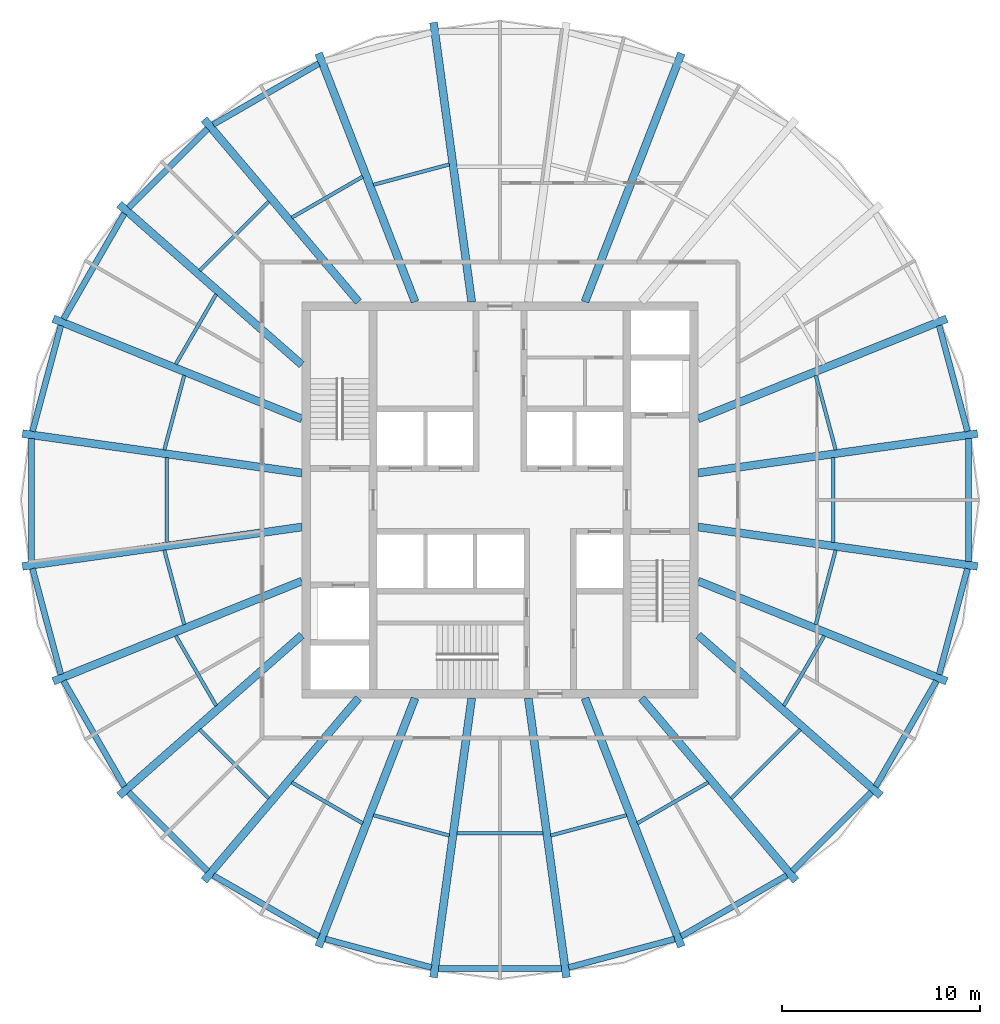
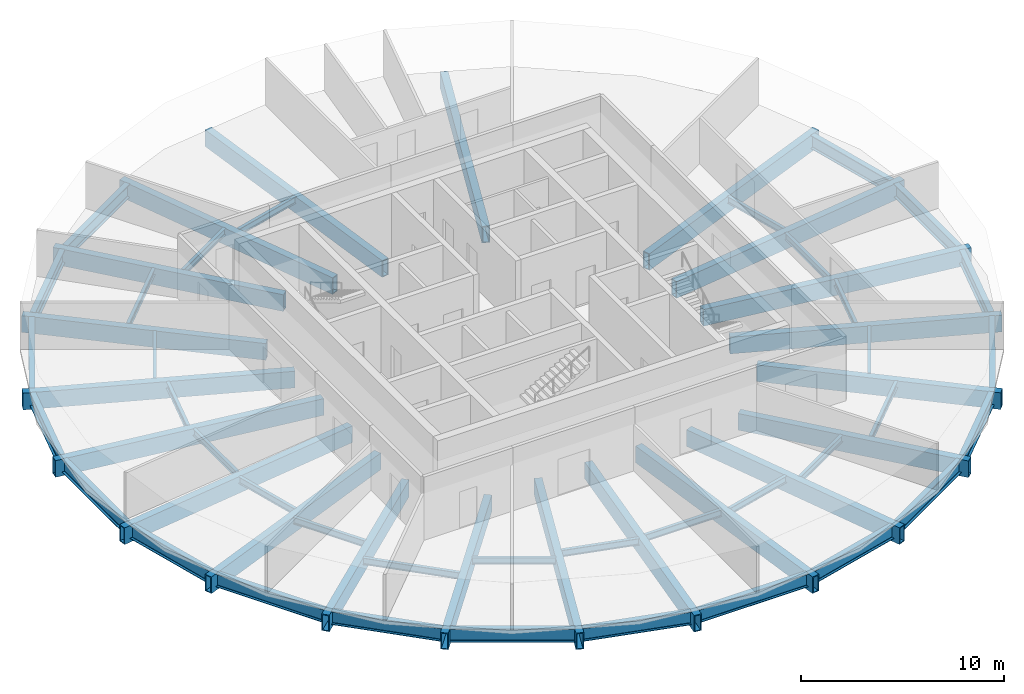
# One storey, part 1 of 6: 58 beams.
"""IFC4 building model written with IfcOpenShell, lengths in metres."""

from ifc_helpers import new_model, si_unit, direction, frame, origin, origin_2d, place, context, subcontext, project, spatial, hollow_rectangle, i_section, extrude, material, material_profile, profile_set, type_object, element, save


model = new_model("IFC4")

# Units and contexts
model_context = context("Model", 3, precision=1e-05, world=origin(), true_north=direction((0.0, 1.0)))
body_context = subcontext(model_context, "Body", "Model", "MODEL_VIEW")
ifc_project = project(units=[si_unit("LENGTHUNIT", "METRE"), si_unit("AREAUNIT", "SQUARE_METRE"), si_unit("VOLUMEUNIT", "CUBIC_METRE"), si_unit("PLANEANGLEUNIT", "RADIAN"), si_unit("MASSUNIT", "GRAM", prefix="KILO")], contexts=[model_context])

# Site, building, storey
site_placement = place(None, origin())
site = spatial("IfcSite", under=ifc_project, at=site_placement, CompositionType="ELEMENT")
building_placement = place(site_placement, origin())
building = spatial("IfcBuilding", under=site, at=building_placement, Name="Golbaran Civic Tower", CompositionType="ELEMENT")
storey_placement = place(building_placement, frame((0.0, 0.0, 159.0)))
storey = spatial("IfcBuildingStorey", under=building, at=storey_placement, Name="L38", CompositionType="ELEMENT", Elevation=159.0)

# Beams
ifc_material = material(Name="Steel S355", Category="steel")
ifc_material_profile_1 = material_profile(ifc_material, i_section(OverallWidth=0.300048828125, OverallDepth=0.800048828125, WebThickness=0.017578125, FlangeThickness=0.032958984375, FilletRadius=0.030029296875, at=origin_2d()), Name="HEB 800")
ifc_profile_set_1 = profile_set([ifc_material_profile_1], Name="Steel S355")
beam_type_1 = type_object("IfcBeamType", Name="EDGE BEAM HEB 800", PredefinedType="BEAM", material=ifc_profile_set_1)
beam_1_placement = place(storey_placement, frame((23.58984375, 3.460693359375, -0.60009765625), z_axis=(-0.258811905796, 0.965927739232, 0.0), x_axis=(-0.965927739232, -0.258811905796, 0.0)))
element("IfcBeam", 1, at=beam_1_placement, inside=storey, type_object=beam_type_1, Name="Edge beam 7.92 L38", PredefinedType="BEAM", context=body_context, shape_type="SweptSolid", body=[
    extrude(i_section(OverallWidth=0.300048828125, OverallDepth=0.800048828125, WebThickness=0.017578125, FlangeThickness=0.032958984375, FilletRadius=0.030029296875, at=origin_2d()), origin(), (0.0, 0.0, 1.0), 5.52587890625),
])
beam_2_placement = place(storey_placement, frame((-9.143798828125, 22.0166015625, -0.60009765625), z_axis=(-0.866307134844, -0.499511709691, 0.0), x_axis=(0.499511709691, -0.866307134844, 0.0)))
element("IfcBeam", 2, at=beam_2_placement, inside=storey, type_object=beam_type_1, Name="Edge beam 112.08 L38", PredefinedType="BEAM", context=body_context, shape_type="SweptSolid", body=[
    extrude(i_section(OverallWidth=0.300048828125, OverallDepth=0.800048828125, WebThickness=0.017578125, FlangeThickness=0.032958984375, FilletRadius=0.030029296875, at=origin_2d()), origin(), (0.0, 0.0, 1.0), 6.151611328125),
])
beam_3_placement = place(storey_placement, frame((-14.759033203125, 18.724609375, -0.60009765625), z_axis=(-0.706824793148, -0.707388656815, 0.0), x_axis=(0.707388656815, -0.706824793148, 0.0)))
element("IfcBeam", 3, at=beam_3_placement, inside=storey, type_object=beam_type_1, Name="Edge beam 127.92 L38", PredefinedType="BEAM", context=body_context, shape_type="SweptSolid", body=[
    extrude(i_section(OverallWidth=0.300048828125, OverallDepth=0.800048828125, WebThickness=0.017578125, FlangeThickness=0.032958984375, FilletRadius=0.030029296875, at=origin_2d()), origin(), (0.0, 0.0, 1.0), 5.628662109375),
])
beam_4_placement = place(storey_placement, frame((-18.95654296875, 14.4560546875, -0.60009765625), z_axis=(-0.498909281088, -0.8666542155, 0.0), x_axis=(0.8666542155, -0.498909281088, 0.0)))
element("IfcBeam", 4, at=beam_4_placement, inside=storey, type_object=beam_type_1, Name="Edge beam 142.08 L38", PredefinedType="BEAM", context=body_context, shape_type="SweptSolid", body=[
    extrude(i_section(OverallWidth=0.300048828125, OverallDepth=0.800048828125, WebThickness=0.017578125, FlangeThickness=0.032958984375, FilletRadius=0.030029296875, at=origin_2d()), origin(), (0.0, 0.0, 1.0), 6.144287109375),
])
beam_5_placement = place(storey_placement, frame((-22.15966796875, 8.79833984375, -0.60009765625), z_axis=(-0.258811905796, -0.965927739232, 0.0), x_axis=(0.965927739232, -0.258811905796, 0.0)))
element("IfcBeam", 5, at=beam_5_placement, inside=storey, type_object=beam_type_1, Name="Edge beam 157.92 L38", PredefinedType="BEAM", context=body_context, shape_type="SweptSolid", body=[
    extrude(i_section(OverallWidth=0.300048828125, OverallDepth=0.800048828125, WebThickness=0.017578125, FlangeThickness=0.032958984375, FilletRadius=0.030029296875, at=origin_2d()), origin(), (0.0, 0.0, 1.0), 5.52587890625),
])
beam_6_placement = place(storey_placement, frame((-23.63671875, 3.103759765625, -0.60009765625), z_axis=(0.0, -1.0, 0.0), x_axis=(1.0, 0.0, 0.0)))
element("IfcBeam", 6, at=beam_6_placement, inside=storey, type_object=beam_type_1, Name="Edge beam 172.08 L38", PredefinedType="BEAM", context=body_context, shape_type="SweptSolid", body=[
    extrude(i_section(OverallWidth=0.300048828125, OverallDepth=0.800048828125, WebThickness=0.017578125, FlangeThickness=0.032958984375, FilletRadius=0.030029296875, at=origin_2d()), origin(), (0.0, 0.0, 1.0), 6.20751953125),
])
beam_7_placement = place(storey_placement, frame((-23.58984375, -3.460693359375, -0.60009765625), z_axis=(0.258811905796, -0.965927739232, 0.0), x_axis=(0.965927739232, 0.258811905796, 0.0)))
element("IfcBeam", 7, at=beam_7_placement, inside=storey, type_object=beam_type_1, Name="Edge beam 187.92 L38", PredefinedType="BEAM", context=body_context, shape_type="SweptSolid", body=[
    extrude(i_section(OverallWidth=0.300048828125, OverallDepth=0.800048828125, WebThickness=0.017578125, FlangeThickness=0.032958984375, FilletRadius=0.030029296875, at=origin_2d()), origin(), (0.0, 0.0, 1.0), 5.52587890625),
])
beam_8_placement = place(storey_placement, frame((-22.02197265625, -9.131103515625, -0.60009765625), z_axis=(0.498909281088, -0.8666542155, 0.0), x_axis=(0.8666542155, 0.498909281088, 0.0)))
element("IfcBeam", 8, at=beam_8_placement, inside=storey, type_object=beam_type_1, Name="Edge beam 202.08 L38", PredefinedType="BEAM", context=body_context, shape_type="SweptSolid", body=[
    extrude(i_section(OverallWidth=0.300048828125, OverallDepth=0.800048828125, WebThickness=0.017578125, FlangeThickness=0.032958984375, FilletRadius=0.030029296875, at=origin_2d()), origin(), (0.0, 0.0, 1.0), 6.144287109375),
])
beam_9_placement = place(storey_placement, frame((-18.737548828125, -14.742919921875, -0.60009765625), z_axis=(0.706824793148, -0.707388656815, 0.0), x_axis=(0.707388656815, 0.706824793148, 0.0)))
element("IfcBeam", 9, at=beam_9_placement, inside=storey, type_object=beam_type_1, Name="Edge beam 217.92 L38", PredefinedType="BEAM", context=body_context, shape_type="SweptSolid", body=[
    extrude(i_section(OverallWidth=0.300048828125, OverallDepth=0.800048828125, WebThickness=0.017578125, FlangeThickness=0.032958984375, FilletRadius=0.030029296875, at=origin_2d()), origin(), (0.0, 0.0, 1.0), 5.628662109375),
])
beam_10_placement = place(storey_placement, frame((-14.472900390625, -18.94384765625, -0.60009765625), z_axis=(0.866307134844, -0.499511709691, 0.0), x_axis=(0.499511709691, 0.866307134844, 0.0)))
element("IfcBeam", 10, at=beam_10_placement, inside=storey, type_object=beam_type_1, Name="Edge beam 232.08 L38", PredefinedType="BEAM", context=body_context, shape_type="SweptSolid", body=[
    extrude(i_section(OverallWidth=0.300048828125, OverallDepth=0.800048828125, WebThickness=0.017578125, FlangeThickness=0.032958984375, FilletRadius=0.030029296875, at=origin_2d()), origin(), (0.0, 0.0, 1.0), 6.151611328125),
])
beam_11_placement = place(storey_placement, frame((-8.811279296875, -22.154541015625, -0.60009765625), z_axis=(0.965829642791, -0.259177740377, 0.0), x_axis=(0.259177740377, 0.965829642791, 0.0)))
element("IfcBeam", 11, at=beam_11_placement, inside=storey, type_object=beam_type_1, Name="Edge beam 247.92 L38", PredefinedType="BEAM", context=body_context, shape_type="SweptSolid", body=[
    extrude(i_section(OverallWidth=0.300048828125, OverallDepth=0.800048828125, WebThickness=0.017578125, FlangeThickness=0.032958984375, FilletRadius=0.030029296875, at=origin_2d()), origin(), (0.0, 0.0, 1.0), 5.53515625),
])
beam_12_placement = place(storey_placement, frame((-3.1083984375, -23.63623046875, -0.60009765625), z_axis=(1.0, 0.0, 0.0), x_axis=(0.0, 1.0, 0.0)))
element("IfcBeam", 12, at=beam_12_placement, inside=storey, type_object=beam_type_1, Name="Edge beam 262.08 L38", PredefinedType="BEAM", context=body_context, shape_type="SweptSolid", body=[
    extrude(i_section(OverallWidth=0.300048828125, OverallDepth=0.800048828125, WebThickness=0.017578125, FlangeThickness=0.032958984375, FilletRadius=0.030029296875, at=origin_2d()), origin(), (0.0, 0.0, 1.0), 6.216796875),
])
beam_13_placement = place(storey_placement, frame((3.46533203125, -23.589111328125, -0.60009765625), z_axis=(0.965829642791, 0.259177740377, 0.0), x_axis=(-0.259177740377, 0.965829642791, 0.0)))
element("IfcBeam", 13, at=beam_13_placement, inside=storey, type_object=beam_type_1, Name="Edge beam 277.92 L38", PredefinedType="BEAM", context=body_context, shape_type="SweptSolid", body=[
    extrude(i_section(OverallWidth=0.300048828125, OverallDepth=0.800048828125, WebThickness=0.017578125, FlangeThickness=0.032958984375, FilletRadius=0.030029296875, at=origin_2d()), origin(), (0.0, 0.0, 1.0), 5.53515625),
])
beam_14_placement = place(storey_placement, frame((9.143798828125, -22.0166015625, -0.60009765625), z_axis=(0.866307134844, 0.499511709691, 0.0), x_axis=(-0.499511709691, 0.866307134844, 0.0)))
element("IfcBeam", 14, at=beam_14_placement, inside=storey, type_object=beam_type_1, Name="Edge beam 292.08 L38", PredefinedType="BEAM", context=body_context, shape_type="SweptSolid", body=[
    extrude(i_section(OverallWidth=0.300048828125, OverallDepth=0.800048828125, WebThickness=0.017578125, FlangeThickness=0.032958984375, FilletRadius=0.030029296875, at=origin_2d()), origin(), (0.0, 0.0, 1.0), 6.151611328125),
])
beam_15_placement = place(storey_placement, frame((14.759033203125, -18.724609375, -0.60009765625), z_axis=(0.706824793148, 0.707388656815, 0.0), x_axis=(-0.707388656815, 0.706824793148, 0.0)))
element("IfcBeam", 15, at=beam_15_placement, inside=storey, type_object=beam_type_1, Name="Edge beam 307.92 L38", PredefinedType="BEAM", context=body_context, shape_type="SweptSolid", body=[
    extrude(i_section(OverallWidth=0.300048828125, OverallDepth=0.800048828125, WebThickness=0.017578125, FlangeThickness=0.032958984375, FilletRadius=0.030029296875, at=origin_2d()), origin(), (0.0, 0.0, 1.0), 5.628662109375),
])
beam_16_placement = place(storey_placement, frame((18.95654296875, -14.4560546875, -0.60009765625), z_axis=(0.498909281088, 0.8666542155, 0.0), x_axis=(-0.8666542155, 0.498909281088, 0.0)))
element("IfcBeam", 16, at=beam_16_placement, inside=storey, type_object=beam_type_1, Name="Edge beam 322.08 L38", PredefinedType="BEAM", context=body_context, shape_type="SweptSolid", body=[
    extrude(i_section(OverallWidth=0.300048828125, OverallDepth=0.800048828125, WebThickness=0.017578125, FlangeThickness=0.032958984375, FilletRadius=0.030029296875, at=origin_2d()), origin(), (0.0, 0.0, 1.0), 6.144287109375),
])
beam_17_placement = place(storey_placement, frame((22.15966796875, -8.79833984375, -0.60009765625), z_axis=(0.258811905796, 0.965927739232, 0.0), x_axis=(-0.965927739232, 0.258811905796, 0.0)))
element("IfcBeam", 17, at=beam_17_placement, inside=storey, type_object=beam_type_1, Name="Edge beam 337.92 L38", PredefinedType="BEAM", context=body_context, shape_type="SweptSolid", body=[
    extrude(i_section(OverallWidth=0.300048828125, OverallDepth=0.800048828125, WebThickness=0.017578125, FlangeThickness=0.032958984375, FilletRadius=0.030029296875, at=origin_2d()), origin(), (0.0, 0.0, 1.0), 5.52587890625),
])
beam_18_placement = place(storey_placement, frame((23.63671875, -3.103759765625, -0.60009765625), z_axis=(0.0, 1.0, 0.0), x_axis=(-1.0, 0.0, 0.0)))
element("IfcBeam", 18, at=beam_18_placement, inside=storey, type_object=beam_type_1, Name="Edge beam 352.08 L38", PredefinedType="BEAM", context=body_context, shape_type="SweptSolid", body=[
    extrude(i_section(OverallWidth=0.300048828125, OverallDepth=0.800048828125, WebThickness=0.017578125, FlangeThickness=0.032958984375, FilletRadius=0.030029296875, at=origin_2d()), origin(), (0.0, 0.0, 1.0), 6.20751953125),
])
ifc_material_profile_2 = material_profile(ifc_material, i_section(OverallWidth=0.179931640625, OverallDepth=0.39990234375, WebThickness=0.008544921875, FlangeThickness=0.013427734375, FilletRadius=0.02099609375, at=origin_2d()), Name="IPE 400")
ifc_profile_set_2 = profile_set([ifc_material_profile_2], Name="Steel S355")
beam_type_2 = type_object("IfcBeamType", Name="FLOOR INFILL BEAM IPE 400", PredefinedType="BEAM", material=ifc_profile_set_2)
beam_19_placement = place(storey_placement, frame((16.941162109375, 2.52392578125, -0.39990234375), z_axis=(-0.258785130076, 0.965934913155, 0.0), x_axis=(-0.965934913155, -0.258785130076, 0.0)))
element("IfcBeam", 19, at=beam_19_placement, inside=storey, type_object=beam_type_2, Name="Infill beam 15.00 L38", PredefinedType="BEAM", context=body_context, shape_type="SweptSolid", body=[
    extrude(i_section(OverallWidth=0.179931640625, OverallDepth=0.39990234375, WebThickness=0.008544921875, FlangeThickness=0.013427734375, FilletRadius=0.02099609375, at=origin_2d()), origin(), (0.0, 0.0, 1.0), 3.898193359375),
])
beam_20_placement = place(storey_placement, frame((-2.556640625, 16.93212890625, -0.39990234375), z_axis=(-0.965929632268, -0.258804840578, 0.0), x_axis=(0.258804840578, -0.965929632268, 0.0)))
element("IfcBeam", 20, at=beam_20_placement, inside=storey, type_object=beam_type_2, Name="Infill beam 105.00 L38", PredefinedType="BEAM", context=body_context, shape_type="SweptSolid", body=[
    extrude(i_section(OverallWidth=0.179931640625, OverallDepth=0.39990234375, WebThickness=0.008544921875, FlangeThickness=0.013427734375, FilletRadius=0.02099609375, at=origin_2d()), origin(), (0.0, 0.0, 1.0), 3.9638671875),
])
beam_21_placement = place(storey_placement, frame((-6.93017578125, 16.314453125, -0.39990234375), z_axis=(-0.866027928545, -0.499995626961, 0.0), x_axis=(0.499995626961, -0.866027928545, 0.0)))
element("IfcBeam", 21, at=beam_21_placement, inside=storey, type_object=beam_type_2, Name="Infill beam 120.00 L38", PredefinedType="BEAM", context=body_context, shape_type="SweptSolid", body=[
    extrude(i_section(OverallWidth=0.179931640625, OverallDepth=0.39990234375, WebThickness=0.008544921875, FlangeThickness=0.013427734375, FilletRadius=0.02099609375, at=origin_2d()), origin(), (0.0, 0.0, 1.0), 4.1259765625),
])
beam_22_placement = place(storey_placement, frame((-11.669189453125, 15.072021484375, -0.39990234375), z_axis=(-0.707081991733, -0.707131569772, 0.0), x_axis=(0.707131569772, -0.707081991733, 0.0)))
element("IfcBeam", 22, at=beam_22_placement, inside=storey, type_object=beam_type_2, Name="Infill beam 135.00 L38", PredefinedType="BEAM", context=body_context, shape_type="SweptSolid", body=[
    extrude(i_section(OverallWidth=0.179931640625, OverallDepth=0.39990234375, WebThickness=0.008544921875, FlangeThickness=0.013427734375, FilletRadius=0.02099609375, at=origin_2d()), origin(), (0.0, 0.0, 1.0), 4.92431640625),
])
beam_23_placement = place(storey_placement, frame((-14.322021484375, 10.381591796875, -0.39990234375), z_axis=(-0.500028214158, -0.86600911372, 0.0), x_axis=(0.86600911372, -0.500028214158, 0.0)))
element("IfcBeam", 23, at=beam_23_placement, inside=storey, type_object=beam_type_2, Name="Infill beam 150.00 L38", PredefinedType="BEAM", context=body_context, shape_type="SweptSolid", body=[
    extrude(i_section(OverallWidth=0.179931640625, OverallDepth=0.39990234375, WebThickness=0.008544921875, FlangeThickness=0.013427734375, FilletRadius=0.02099609375, at=origin_2d()), origin(), (0.0, 0.0, 1.0), 4.077880859375),
])
beam_24_placement = place(storey_placement, frame((-15.932373046875, 6.289306640625, -0.39990234375), z_axis=(-0.258785130076, -0.965934913155, 0.0), x_axis=(0.965934913155, -0.258785130076, 0.0)))
element("IfcBeam", 24, at=beam_24_placement, inside=storey, type_object=beam_type_2, Name="Infill beam 165.00 L38", PredefinedType="BEAM", context=body_context, shape_type="SweptSolid", body=[
    extrude(i_section(OverallWidth=0.179931640625, OverallDepth=0.39990234375, WebThickness=0.008544921875, FlangeThickness=0.013427734375, FilletRadius=0.02099609375, at=origin_2d()), origin(), (0.0, 0.0, 1.0), 3.898193359375),
])
beam_25_placement = place(storey_placement, frame((-16.818359375, 2.14306640625, -0.39990234375), z_axis=(0.0, -1.0, 0.0), x_axis=(1.0, 0.0, 0.0)))
element("IfcBeam", 25, at=beam_25_placement, inside=storey, type_object=beam_type_2, Name="Infill beam 180.00 L38", PredefinedType="BEAM", context=body_context, shape_type="SweptSolid", body=[
    extrude(i_section(OverallWidth=0.179931640625, OverallDepth=0.39990234375, WebThickness=0.008544921875, FlangeThickness=0.013427734375, FilletRadius=0.02099609375, at=origin_2d()), origin(), (0.0, 0.0, 1.0), 4.2861328125),
])
beam_26_placement = place(storey_placement, frame((-16.941162109375, -2.52392578125, -0.39990234375), z_axis=(0.258785130076, -0.965934913155, 0.0), x_axis=(0.965934913155, 0.258785130076, 0.0)))
element("IfcBeam", 26, at=beam_26_placement, inside=storey, type_object=beam_type_2, Name="Infill beam 195.00 L38", PredefinedType="BEAM", context=body_context, shape_type="SweptSolid", body=[
    extrude(i_section(OverallWidth=0.179931640625, OverallDepth=0.39990234375, WebThickness=0.008544921875, FlangeThickness=0.013427734375, FilletRadius=0.02099609375, at=origin_2d()), origin(), (0.0, 0.0, 1.0), 3.898193359375),
])
beam_27_placement = place(storey_placement, frame((-16.361083984375, -6.85009765625, -0.39990234375), z_axis=(0.500028214158, -0.86600911372, 0.0), x_axis=(0.86600911372, 0.500028214158, 0.0)))
element("IfcBeam", 27, at=beam_27_placement, inside=storey, type_object=beam_type_2, Name="Infill beam 210.00 L38", PredefinedType="BEAM", context=body_context, shape_type="SweptSolid", body=[
    extrude(i_section(OverallWidth=0.179931640625, OverallDepth=0.39990234375, WebThickness=0.008544921875, FlangeThickness=0.013427734375, FilletRadius=0.02099609375, at=origin_2d()), origin(), (0.0, 0.0, 1.0), 4.077880859375),
])
beam_28_placement = place(storey_placement, frame((-15.151123046875, -11.58984375, -0.39990234375), z_axis=(0.707081991733, -0.707131569772, 0.0), x_axis=(0.707131569772, 0.707081991733, 0.0)))
element("IfcBeam", 28, at=beam_28_placement, inside=storey, type_object=beam_type_2, Name="Infill beam 225.00 L38", PredefinedType="BEAM", context=body_context, shape_type="SweptSolid", body=[
    extrude(i_section(OverallWidth=0.179931640625, OverallDepth=0.39990234375, WebThickness=0.008544921875, FlangeThickness=0.013427734375, FilletRadius=0.02099609375, at=origin_2d()), origin(), (0.0, 0.0, 1.0), 4.92431640625),
])
beam_29_placement = place(storey_placement, frame((-10.50341796875, -14.25146484375, -0.39990234375), z_axis=(0.866027928545, -0.499995626961, 0.0), x_axis=(0.499995626961, 0.866027928545, 0.0)))
element("IfcBeam", 29, at=beam_29_placement, inside=storey, type_object=beam_type_2, Name="Infill beam 240.00 L38", PredefinedType="BEAM", context=body_context, shape_type="SweptSolid", body=[
    extrude(i_section(OverallWidth=0.179931640625, OverallDepth=0.39990234375, WebThickness=0.008544921875, FlangeThickness=0.013427734375, FilletRadius=0.02099609375, at=origin_2d()), origin(), (0.0, 0.0, 1.0), 4.1259765625),
])
beam_30_placement = place(storey_placement, frame((-6.385498046875, -15.90625, -0.39990234375), z_axis=(0.965929632268, -0.258804840578, 0.0), x_axis=(0.258804840578, 0.965929632268, 0.0)))
element("IfcBeam", 30, at=beam_30_placement, inside=storey, type_object=beam_type_2, Name="Infill beam 255.00 L38", PredefinedType="BEAM", context=body_context, shape_type="SweptSolid", body=[
    extrude(i_section(OverallWidth=0.179931640625, OverallDepth=0.39990234375, WebThickness=0.008544921875, FlangeThickness=0.013427734375, FilletRadius=0.02099609375, at=origin_2d()), origin(), (0.0, 0.0, 1.0), 3.9638671875),
])
beam_31_placement = place(storey_placement, frame((-2.177734375, -16.818115234375, -0.39990234375), z_axis=(1.0, 0.0, 0.0), x_axis=(0.0, 1.0, 0.0)))
element("IfcBeam", 31, at=beam_31_placement, inside=storey, type_object=beam_type_2, Name="Infill beam 270.00 L38", PredefinedType="BEAM", context=body_context, shape_type="SweptSolid", body=[
    extrude(i_section(OverallWidth=0.179931640625, OverallDepth=0.39990234375, WebThickness=0.008544921875, FlangeThickness=0.013427734375, FilletRadius=0.02099609375, at=origin_2d()), origin(), (0.0, 0.0, 1.0), 4.35546875),
])
beam_32_placement = place(storey_placement, frame((2.556640625, -16.93212890625, -0.39990234375), z_axis=(0.965929632268, 0.258804840578, 0.0), x_axis=(-0.258804840578, 0.965929632268, 0.0)))
element("IfcBeam", 32, at=beam_32_placement, inside=storey, type_object=beam_type_2, Name="Infill beam 285.00 L38", PredefinedType="BEAM", context=body_context, shape_type="SweptSolid", body=[
    extrude(i_section(OverallWidth=0.179931640625, OverallDepth=0.39990234375, WebThickness=0.008544921875, FlangeThickness=0.013427734375, FilletRadius=0.02099609375, at=origin_2d()), origin(), (0.0, 0.0, 1.0), 3.9638671875),
])
beam_33_placement = place(storey_placement, frame((6.93017578125, -16.314453125, -0.39990234375), z_axis=(0.866027928545, 0.499995626961, 0.0), x_axis=(-0.499995626961, 0.866027928545, 0.0)))
element("IfcBeam", 33, at=beam_33_placement, inside=storey, type_object=beam_type_2, Name="Infill beam 300.00 L38", PredefinedType="BEAM", context=body_context, shape_type="SweptSolid", body=[
    extrude(i_section(OverallWidth=0.179931640625, OverallDepth=0.39990234375, WebThickness=0.008544921875, FlangeThickness=0.013427734375, FilletRadius=0.02099609375, at=origin_2d()), origin(), (0.0, 0.0, 1.0), 4.1259765625),
])
beam_34_placement = place(storey_placement, frame((11.669189453125, -15.072021484375, -0.39990234375), z_axis=(0.707081991733, 0.707131569772, 0.0), x_axis=(-0.707131569772, 0.707081991733, 0.0)))
element("IfcBeam", 34, at=beam_34_placement, inside=storey, type_object=beam_type_2, Name="Infill beam 315.00 L38", PredefinedType="BEAM", context=body_context, shape_type="SweptSolid", body=[
    extrude(i_section(OverallWidth=0.179931640625, OverallDepth=0.39990234375, WebThickness=0.008544921875, FlangeThickness=0.013427734375, FilletRadius=0.02099609375, at=origin_2d()), origin(), (0.0, 0.0, 1.0), 4.92431640625),
])
beam_35_placement = place(storey_placement, frame((14.322021484375, -10.381591796875, -0.39990234375), z_axis=(0.500028214158, 0.86600911372, 0.0), x_axis=(-0.86600911372, 0.500028214158, 0.0)))
element("IfcBeam", 35, at=beam_35_placement, inside=storey, type_object=beam_type_2, Name="Infill beam 330.00 L38", PredefinedType="BEAM", context=body_context, shape_type="SweptSolid", body=[
    extrude(i_section(OverallWidth=0.179931640625, OverallDepth=0.39990234375, WebThickness=0.008544921875, FlangeThickness=0.013427734375, FilletRadius=0.02099609375, at=origin_2d()), origin(), (0.0, 0.0, 1.0), 4.077880859375),
])
beam_36_placement = place(storey_placement, frame((15.932373046875, -6.289306640625, -0.39990234375), z_axis=(0.258785130076, 0.965934913155, 0.0), x_axis=(-0.965934913155, 0.258785130076, 0.0)))
element("IfcBeam", 36, at=beam_36_placement, inside=storey, type_object=beam_type_2, Name="Infill beam 345.00 L38", PredefinedType="BEAM", context=body_context, shape_type="SweptSolid", body=[
    extrude(i_section(OverallWidth=0.179931640625, OverallDepth=0.39990234375, WebThickness=0.008544921875, FlangeThickness=0.013427734375, FilletRadius=0.02099609375, at=origin_2d()), origin(), (0.0, 0.0, 1.0), 3.898193359375),
])
beam_37_placement = place(storey_placement, frame((16.818359375, -2.14306640625, -0.39990234375), z_axis=(0.0, 1.0, 0.0), x_axis=(-1.0, 0.0, 0.0)))
element("IfcBeam", 37, at=beam_37_placement, inside=storey, type_object=beam_type_2, Name="Infill beam 0.00 L38", PredefinedType="BEAM", context=body_context, shape_type="SweptSolid", body=[
    extrude(i_section(OverallWidth=0.179931640625, OverallDepth=0.39990234375, WebThickness=0.008544921875, FlangeThickness=0.013427734375, FilletRadius=0.02099609375, at=origin_2d()), origin(), (0.0, 0.0, 1.0), 4.2861328125),
])
ifc_material_profile_3 = material_profile(ifc_material, hollow_rectangle(XDim=0.39990234375, YDim=1.0, WallThickness=0.050048828125, at=origin_2d()), Name="BOX 1000x400x50")
ifc_profile_set_3 = profile_set([ifc_material_profile_3], Name="Steel S355")
beam_type_3 = type_object("IfcBeamType", Name="RADIAL FLOOR BEAM BOX 1000x400x50", PredefinedType="BEAM", material=ifc_profile_set_3)
beam_38_placement = place(storey_placement, frame((10.0, 1.3642578125, -0.7099609375), z_axis=(0.990221000357, 0.139507599978, 0.0), x_axis=(-0.139507599978, 0.990221000357, 0.0)))
element("IfcBeam", 38, at=beam_38_placement, inside=storey, type_object=beam_type_3, Name="Radial beam 7.92 L38", PredefinedType="BEAM", context=body_context, shape_type="SweptSolid", body=[
    extrude(hollow_rectangle(XDim=0.39990234375, YDim=1.0, WallThickness=0.050048828125, at=origin_2d()), origin(), (0.0, 0.0, 1.0), 14.236328125),
])
beam_39_placement = place(storey_placement, frame((10.0, 4.0927734375, -0.7099609375), z_axis=(0.927533745859, 0.373739414958, 0.0), x_axis=(-0.373739414958, 0.927533745859, 0.0)))
element("IfcBeam", 39, at=beam_39_placement, inside=storey, type_object=beam_type_3, Name="Radial beam 22.08 L38", PredefinedType="BEAM", context=body_context, shape_type="SweptSolid", body=[
    extrude(hollow_rectangle(XDim=0.39990234375, YDim=1.0, WallThickness=0.050048828125, at=origin_2d()), origin(), (0.0, 0.0, 1.0), 13.52392578125),
])
beam_40_placement = place(storey_placement, frame((4.28564453125, 10.0, -0.7099609375), z_axis=(0.361918996305, 0.932209547319, 0.0), x_axis=(-0.932209547319, 0.361918996305, 0.0)))
element("IfcBeam", 40, at=beam_40_placement, inside=storey, type_object=beam_type_3, Name="Radial beam 67.92 L38", PredefinedType="BEAM", context=body_context, shape_type="SweptSolid", body=[
    extrude(hollow_rectangle(XDim=0.39990234375, YDim=1.0, WallThickness=0.050048828125, at=origin_2d()), origin(), (0.0, 0.0, 1.0), 13.452880859375),
])
beam_41_placement = place(storey_placement, frame((-1.428466796875, 10.0, -0.7099609375), z_axis=(-0.135270948162, 0.990808644786, 0.0), x_axis=(-0.990808644786, -0.135270948162, 0.0)))
element("IfcBeam", 41, at=beam_41_placement, inside=storey, type_object=beam_type_3, Name="Radial beam 97.92 L38", PredefinedType="BEAM", context=body_context, shape_type="SweptSolid", body=[
    extrude(hollow_rectangle(XDim=0.39990234375, YDim=1.0, WallThickness=0.050048828125, at=origin_2d()), origin(), (0.0, 0.0, 1.0), 14.2275390625),
])
beam_42_placement = place(storey_placement, frame((-4.28564453125, 10.0, -0.7099609375), z_axis=(-0.361918996305, 0.932209547319, 0.0), x_axis=(-0.932209547319, -0.361918996305, 0.0)))
element("IfcBeam", 42, at=beam_42_placement, inside=storey, type_object=beam_type_3, Name="Radial beam 112.08 L38", PredefinedType="BEAM", context=body_context, shape_type="SweptSolid", body=[
    extrude(hollow_rectangle(XDim=0.39990234375, YDim=1.0, WallThickness=0.050048828125, at=origin_2d()), origin(), (0.0, 0.0, 1.0), 13.452880859375),
])
beam_43_placement = place(storey_placement, frame((-7.142822265625, 10.0, -0.7099609375), z_axis=(-0.645841511246, 0.76347150723, 0.0), x_axis=(-0.76347150723, -0.645841511246, 0.0)))
element("IfcBeam", 43, at=beam_43_placement, inside=storey, type_object=beam_type_3, Name="Radial beam 127.92 L38", PredefinedType="BEAM", context=body_context, shape_type="SweptSolid", body=[
    extrude(hollow_rectangle(XDim=0.39990234375, YDim=1.0, WallThickness=0.050048828125, at=origin_2d()), origin(), (0.0, 0.0, 1.0), 12.060791015625),
])
beam_44_placement = place(storey_placement, frame((-10.0, 6.821533203125, -0.7099609375), z_axis=(-0.751024067787, 0.660274828843, 0.0), x_axis=(-0.660274828843, -0.751024067787, 0.0)))
element("IfcBeam", 44, at=beam_44_placement, inside=storey, type_object=beam_type_3, Name="Radial beam 142.08 L38", PredefinedType="BEAM", context=body_context, shape_type="SweptSolid", body=[
    extrude(hollow_rectangle(XDim=0.39990234375, YDim=1.0, WallThickness=0.050048828125, at=origin_2d()), origin(), (0.0, 0.0, 1.0), 12.270263671875),
])
beam_45_placement = place(storey_placement, frame((-10.0, 4.0927734375, -0.7099609375), z_axis=(-0.927533745859, 0.373739414958, 0.0), x_axis=(-0.373739414958, -0.927533745859, 0.0)))
element("IfcBeam", 45, at=beam_45_placement, inside=storey, type_object=beam_type_3, Name="Radial beam 157.92 L38", PredefinedType="BEAM", context=body_context, shape_type="SweptSolid", body=[
    extrude(hollow_rectangle(XDim=0.39990234375, YDim=1.0, WallThickness=0.050048828125, at=origin_2d()), origin(), (0.0, 0.0, 1.0), 13.52392578125),
])
for number, where, z_axis, x_axis, name in (
    (46, (-10.0, 1.3642578125, -0.7099609375), (-0.990221000357, 0.139507599978, 0.0), (-0.139507599978, -0.990221000357, 0.0), "Radial beam 172.08 L38"),
    (47, (-10.0, -1.3642578125, -0.7099609375), (-0.990221000357, -0.139507599978, 0.0), (0.139507599978, -0.990221000357, 0.0), "Radial beam 187.92 L38"),
):
    element("IfcBeam", number, at=place(storey_placement, frame(where, z_axis=z_axis, x_axis=x_axis)), inside=storey, type_object=beam_type_3, Name=name, PredefinedType="BEAM", context=body_context, shape_type="SweptSolid", body=[
        extrude(hollow_rectangle(XDim=0.39990234375, YDim=1.0, WallThickness=0.050048828125, at=origin_2d()), origin(), (0.0, 0.0, 1.0), 14.236328125),
    ])
beam_46_placement = place(storey_placement, frame((-10.0, -4.0927734375, -0.7099609375), z_axis=(-0.927533745859, -0.373739414958, 0.0), x_axis=(0.373739414958, -0.927533745859, 0.0)))
element("IfcBeam", 48, at=beam_46_placement, inside=storey, type_object=beam_type_3, Name="Radial beam 202.08 L38", PredefinedType="BEAM", context=body_context, shape_type="SweptSolid", body=[
    extrude(hollow_rectangle(XDim=0.39990234375, YDim=1.0, WallThickness=0.050048828125, at=origin_2d()), origin(), (0.0, 0.0, 1.0), 13.52392578125),
])
beam_47_placement = place(storey_placement, frame((-10.0, -6.821533203125, -0.7099609375), z_axis=(-0.751024067787, -0.660274828843, 0.0), x_axis=(0.660274828843, -0.751024067787, 0.0)))
element("IfcBeam", 49, at=beam_47_placement, inside=storey, type_object=beam_type_3, Name="Radial beam 217.92 L38", PredefinedType="BEAM", context=body_context, shape_type="SweptSolid", body=[
    extrude(hollow_rectangle(XDim=0.39990234375, YDim=1.0, WallThickness=0.050048828125, at=origin_2d()), origin(), (0.0, 0.0, 1.0), 12.270263671875),
])
beam_48_placement = place(storey_placement, frame((-7.142822265625, -10.0, -0.7099609375), z_axis=(-0.645841511246, -0.76347150723, 0.0), x_axis=(0.76347150723, -0.645841511246, 0.0)))
element("IfcBeam", 50, at=beam_48_placement, inside=storey, type_object=beam_type_3, Name="Radial beam 232.08 L38", PredefinedType="BEAM", context=body_context, shape_type="SweptSolid", body=[
    extrude(hollow_rectangle(XDim=0.39990234375, YDim=1.0, WallThickness=0.050048828125, at=origin_2d()), origin(), (0.0, 0.0, 1.0), 12.060791015625),
])
beam_49_placement = place(storey_placement, frame((-4.28564453125, -10.0, -0.7099609375), z_axis=(-0.361918996305, -0.932209547319, 0.0), x_axis=(0.932209547319, -0.361918996305, 0.0)))
element("IfcBeam", 51, at=beam_49_placement, inside=storey, type_object=beam_type_3, Name="Radial beam 247.92 L38", PredefinedType="BEAM", context=body_context, shape_type="SweptSolid", body=[
    extrude(hollow_rectangle(XDim=0.39990234375, YDim=1.0, WallThickness=0.050048828125, at=origin_2d()), origin(), (0.0, 0.0, 1.0), 13.452880859375),
])
for number, where, z_axis, x_axis, name in (
    (52, (-1.428466796875, -10.0, -0.7099609375), (-0.135270948162, -0.990808644786, 0.0), (0.990808644786, -0.135270948162, 0.0), "Radial beam 262.08 L38"),
    (53, (1.428466796875, -10.0, -0.7099609375), (0.135270948162, -0.990808644786, 0.0), (0.990808644786, 0.135270948162, 0.0), "Radial beam 277.92 L38"),
):
    element("IfcBeam", number, at=place(storey_placement, frame(where, z_axis=z_axis, x_axis=x_axis)), inside=storey, type_object=beam_type_3, Name=name, PredefinedType="BEAM", context=body_context, shape_type="SweptSolid", body=[
        extrude(hollow_rectangle(XDim=0.39990234375, YDim=1.0, WallThickness=0.050048828125, at=origin_2d()), origin(), (0.0, 0.0, 1.0), 14.2275390625),
    ])
beam_50_placement = place(storey_placement, frame((4.28564453125, -10.0, -0.7099609375), z_axis=(0.361918996305, -0.932209547319, 0.0), x_axis=(0.932209547319, 0.361918996305, 0.0)))
element("IfcBeam", 54, at=beam_50_placement, inside=storey, type_object=beam_type_3, Name="Radial beam 292.08 L38", PredefinedType="BEAM", context=body_context, shape_type="SweptSolid", body=[
    extrude(hollow_rectangle(XDim=0.39990234375, YDim=1.0, WallThickness=0.050048828125, at=origin_2d()), origin(), (0.0, 0.0, 1.0), 13.452880859375),
])
beam_51_placement = place(storey_placement, frame((7.142822265625, -10.0, -0.7099609375), z_axis=(0.645841511246, -0.76347150723, 0.0), x_axis=(0.76347150723, 0.645841511246, 0.0)))
element("IfcBeam", 55, at=beam_51_placement, inside=storey, type_object=beam_type_3, Name="Radial beam 307.92 L38", PredefinedType="BEAM", context=body_context, shape_type="SweptSolid", body=[
    extrude(hollow_rectangle(XDim=0.39990234375, YDim=1.0, WallThickness=0.050048828125, at=origin_2d()), origin(), (0.0, 0.0, 1.0), 12.060791015625),
])
beam_52_placement = place(storey_placement, frame((10.0, -6.821533203125, -0.7099609375), z_axis=(0.751024067787, -0.660274828843, 0.0), x_axis=(0.660274828843, 0.751024067787, 0.0)))
element("IfcBeam", 56, at=beam_52_placement, inside=storey, type_object=beam_type_3, Name="Radial beam 322.08 L38", PredefinedType="BEAM", context=body_context, shape_type="SweptSolid", body=[
    extrude(hollow_rectangle(XDim=0.39990234375, YDim=1.0, WallThickness=0.050048828125, at=origin_2d()), origin(), (0.0, 0.0, 1.0), 12.270263671875),
])
beam_53_placement = place(storey_placement, frame((10.0, -4.0927734375, -0.7099609375), z_axis=(0.927533745859, -0.373739414958, 0.0), x_axis=(0.373739414958, 0.927533745859, 0.0)))
element("IfcBeam", 57, at=beam_53_placement, inside=storey, type_object=beam_type_3, Name="Radial beam 337.92 L38", PredefinedType="BEAM", context=body_context, shape_type="SweptSolid", body=[
    extrude(hollow_rectangle(XDim=0.39990234375, YDim=1.0, WallThickness=0.050048828125, at=origin_2d()), origin(), (0.0, 0.0, 1.0), 13.52392578125),
])
beam_54_placement = place(storey_placement, frame((10.0, -1.3642578125, -0.7099609375), z_axis=(0.990221000357, -0.139507599978, 0.0), x_axis=(0.139507599978, 0.990221000357, 0.0)))
element("IfcBeam", 58, at=beam_54_placement, inside=storey, type_object=beam_type_3, Name="Radial beam 352.08 L38", PredefinedType="BEAM", context=body_context, shape_type="SweptSolid", body=[
    extrude(hollow_rectangle(XDim=0.39990234375, YDim=1.0, WallThickness=0.050048828125, at=origin_2d()), origin(), (0.0, 0.0, 1.0), 14.236328125),
])

save(model, "model.ifc")
